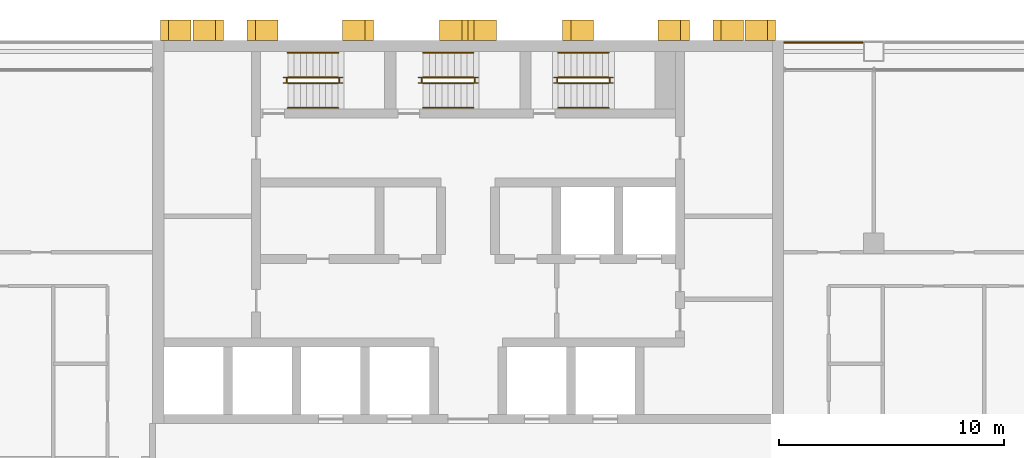
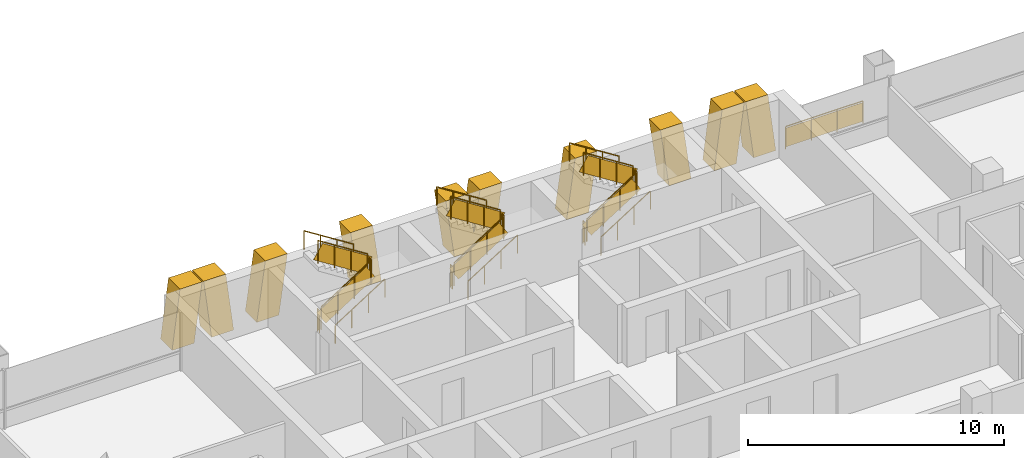
# One storey, part 17 of 18: 19 railings, 9 shading devices.
"""IFC4 building model written with IfcOpenShell, lengths in metres."""

from ifc_helpers import new_model, si_unit, direction, frame, origin, origin_2d, place, context, subcontext, project, spatial, polyline, rectangle, circle, outline, extrude, material, layer, layer_set, type_object, element, save


model = new_model("IFC4")

# Units and contexts
model_context = context("Model", 3, precision=1e-05, world=origin(), true_north=direction((0.0, 1.0)))
body_context = subcontext(model_context, "Body", "Model", "MODEL_VIEW")
ifc_project = project(units=[si_unit("LENGTHUNIT", "METRE"), si_unit("AREAUNIT", "SQUARE_METRE"), si_unit("VOLUMEUNIT", "CUBIC_METRE"), si_unit("PLANEANGLEUNIT", "RADIAN"), si_unit("MASSUNIT", "GRAM", prefix="KILO")], contexts=[model_context])

# Site, building, storey
site_placement = place(None, origin())
site = spatial("IfcSite", under=ifc_project, at=site_placement, CompositionType="ELEMENT")
building_placement = place(site_placement, origin())
building = spatial("IfcBuilding", under=site, at=building_placement, Name="Vidyagriha Tower", CompositionType="ELEMENT")
storey_placement = place(building_placement, frame((0.0, 0.0, 103.10009765625)))
storey = spatial("IfcBuildingStorey", under=building, at=storey_placement, Name="L27", CompositionType="ELEMENT", Elevation=103.10009765625)

# Shading devices
ifc_material_1 = material(Name="Precast concrete C40/50 with brick facing", Category="concrete")
ifc_layer_1 = layer(ifc_material_1, 1.0)
ifc_layer_set_1 = layer_set([ifc_layer_1], Name="Precast concrete C40/50 with brick facing")
shading_device_type_1 = type_object("IfcShadingDeviceType", Name="Brick-faced rear rib arm leaning 8 degrees", PredefinedType="USERDEFINED", material=ifc_layer_set_1)
shading_device_1_placement = place(storey_placement, frame((12.21435546875, 20.449951171875, 0.0), z_axis=(0.0, 0.0, 1.0), x_axis=(-1.0, 0.0, 0.0)))
element("IfcShadingDevice", 1, at=shading_device_1_placement, inside=storey, type_object=shading_device_type_1, Name="Rear rib arm L27 R08.1a", ObjectType="BLADE FIN", PredefinedType="USERDEFINED", context=body_context, shape_type="SweptSolid", body=[
    extrude(outline(polyline([(0.357177734375, 0.0), (1.357177734375, 0.0), (1.0, 2.7998046875), (0.0, 2.7998046875), (0.357177734375, 0.0)])), frame((0.0, 0.449951171875, 0.0), z_axis=(0.0, -1.0, 0.0), x_axis=(1.0, 0.0, 0.0)), (0.0, 0.0, 1.0), 0.89990234375),
])
shading_device_2_placement = place(storey_placement, frame((13.642822265625, 20.449951171875, 0.0), z_axis=(0.0, 0.0, 1.0), x_axis=(-1.0, 0.0, 0.0)))
element("IfcShadingDevice", 2, at=shading_device_2_placement, inside=storey, type_object=shading_device_type_1, Name="Rear rib arm L27 R08.1b", ObjectType="BLADE FIN", PredefinedType="USERDEFINED", context=body_context, shape_type="SweptSolid", body=[
    extrude(outline(polyline([(0.0, 0.0), (1.0, 0.0), (1.357177734375, 2.7998046875), (0.357177734375, 2.7998046875), (0.0, 0.0)])), frame((0.0, 0.449951171875, 0.0), z_axis=(0.0, -1.0, 0.0), x_axis=(1.0, 0.0, 0.0)), (0.0, 0.0, 1.0), 0.89990234375),
])
shading_device_3_placement = place(storey_placement, frame((5.5712890625, 20.449951171875, 0.0), z_axis=(0.0, 0.0, 1.0), x_axis=(-1.0, 0.0, 0.0)))
element("IfcShadingDevice", 3, at=shading_device_3_placement, inside=storey, type_object=shading_device_type_1, Name="Rear rib arm L27 R08.2a", ObjectType="BLADE FIN", PredefinedType="USERDEFINED", context=body_context, shape_type="SweptSolid", body=[
    extrude(outline(polyline([(0.3857421875, 0.0), (1.3857421875, 0.0), (1.0, 2.7998046875), (0.0, 2.7998046875), (0.3857421875, 0.0)])), frame((0.0, 0.449951171875, 0.0), z_axis=(0.0, -1.0, 0.0), x_axis=(1.0, 0.0, 0.0)), (0.0, 0.0, 1.0), 0.89990234375),
])
shading_device_4_placement = place(storey_placement, frame((9.814208984375, 20.449951171875, 0.0), z_axis=(0.0, 0.0, 1.0), x_axis=(-1.0, 0.0, 0.0)))
element("IfcShadingDevice", 4, at=shading_device_4_placement, inside=storey, type_object=shading_device_type_1, Name="Rear rib arm L27 R08.2b", ObjectType="BLADE FIN", PredefinedType="USERDEFINED", context=body_context, shape_type="SweptSolid", body=[
    extrude(outline(polyline([(0.0, 0.0), (1.0, 0.0), (1.3857421875, 2.7998046875), (0.3857421875, 2.7998046875), (0.0, 0.0)])), frame((0.0, 0.449951171875, 0.0), z_axis=(0.0, -1.0, 0.0), x_axis=(1.0, 0.0, 0.0)), (0.0, 0.0, 1.0), 0.89990234375),
])
shading_device_5_placement = place(storey_placement, frame((-8.4287109375, 20.449951171875, 0.0), z_axis=(0.0, 0.0, 1.0), x_axis=(-1.0, 0.0, 0.0)))
element("IfcShadingDevice", 5, at=shading_device_5_placement, inside=storey, type_object=shading_device_type_1, Name="Rear rib arm L27 R08.4a", ObjectType="BLADE FIN", PredefinedType="USERDEFINED", context=body_context, shape_type="SweptSolid", body=[
    extrude(outline(polyline([(0.3857421875, 0.0), (1.3857421875, 0.0), (1.0, 2.7998046875), (0.0, 2.7998046875), (0.3857421875, 0.0)])), frame((0.0, 0.449951171875, 0.0), z_axis=(0.0, -1.0, 0.0), x_axis=(1.0, 0.0, 0.0)), (0.0, 0.0, 1.0), 0.89990234375),
])
shading_device_6_placement = place(storey_placement, frame((-4.185791015625, 20.449951171875, 0.0), z_axis=(0.0, 0.0, 1.0), x_axis=(-1.0, 0.0, 0.0)))
element("IfcShadingDevice", 6, at=shading_device_6_placement, inside=storey, type_object=shading_device_type_1, Name="Rear rib arm L27 R08.4b", ObjectType="BLADE FIN", PredefinedType="USERDEFINED", context=body_context, shape_type="SweptSolid", body=[
    extrude(outline(polyline([(0.0, 0.0), (1.0, 0.0), (1.3857421875, 2.7998046875), (0.3857421875, 2.7998046875), (0.0, 0.0)])), frame((0.0, 0.449951171875, 0.0), z_axis=(0.0, -1.0, 0.0), x_axis=(1.0, 0.0, 0.0)), (0.0, 0.0, 1.0), 0.89990234375),
])
shading_device_7_placement = place(storey_placement, frame((-12.28564453125, 20.449951171875, 0.0), z_axis=(0.0, 0.0, 1.0), x_axis=(-1.0, 0.0, 0.0)))
element("IfcShadingDevice", 7, at=shading_device_7_placement, inside=storey, type_object=shading_device_type_1, Name="Rear rib arm L27 R08.5a", ObjectType="BLADE FIN", PredefinedType="USERDEFINED", context=body_context, shape_type="SweptSolid", body=[
    extrude(outline(polyline([(0.357177734375, 0.0), (1.357177734375, 0.0), (1.0, 2.7998046875), (0.0, 2.7998046875), (0.357177734375, 0.0)])), frame((0.0, 0.449951171875, 0.0), z_axis=(0.0, -1.0, 0.0), x_axis=(1.0, 0.0, 0.0)), (0.0, 0.0, 1.0), 0.89990234375),
])
shading_device_8_placement = place(storey_placement, frame((-10.857177734375, 20.449951171875, 0.0), z_axis=(0.0, 0.0, 1.0), x_axis=(-1.0, 0.0, 0.0)))
element("IfcShadingDevice", 8, at=shading_device_8_placement, inside=storey, type_object=shading_device_type_1, Name="Rear rib arm L27 R08.5b", ObjectType="BLADE FIN", PredefinedType="USERDEFINED", context=body_context, shape_type="SweptSolid", body=[
    extrude(outline(polyline([(0.0, 0.0), (1.0, 0.0), (1.357177734375, 2.7998046875), (0.357177734375, 2.7998046875), (0.0, 0.0)])), frame((0.0, 0.449951171875, 0.0), z_axis=(0.0, -1.0, 0.0), x_axis=(1.0, 0.0, 0.0)), (0.0, 0.0, 1.0), 0.89990234375),
])
ifc_material_2 = material(Name="Precast concrete C40/50 with brick facing", Category="concrete")
ifc_layer_2 = layer(ifc_material_2, 1.0)
ifc_layer_set_2 = layer_set([ifc_layer_2], Name="Precast concrete C40/50 with brick facing")
shading_device_type_2 = type_object("IfcShadingDeviceType", Name="Brick-faced rear rib forking 8 degrees", PredefinedType="USERDEFINED", material=ifc_layer_set_2)
shading_device_9_placement = place(storey_placement, frame((1.271484375, 20.449951171875, 0.0), z_axis=(0.0, 0.0, 1.0), x_axis=(-1.0, 0.0, 0.0)))
element("IfcShadingDevice", 9, at=shading_device_9_placement, inside=storey, type_object=shading_device_type_2, Name="Rear rib fork L27 R08.3a", ObjectType="BLADE FIN", PredefinedType="USERDEFINED", context=body_context, shape_type="SweptSolid", body=[
    extrude(outline(polyline([(0.3857421875, 0.0), (2.156982421875, 0.0), (2.542724609375, 2.7998046875), (1.542724609375, 2.7998046875), (1.271484375, 0.82958984375), (1.0, 2.7998046875), (0.0, 2.7998046875), (0.3857421875, 0.0)])), frame((0.0, 0.449951171875, 0.0), z_axis=(0.0, -1.0, 0.0), x_axis=(1.0, 0.0, 0.0)), (0.0, 0.0, 1.0), 0.89990234375),
])

# Railings
ifc_material_3 = material(Name="Steel ASTM A500 Grade C black painted", Category="steel")
railing_type_1 = type_object("IfcRailingType", Name="Gallery guard 1100", PredefinedType="GUARDRAIL", material=ifc_material_3)
railing_1_placement = place(storey_placement, frame((14.030029296875, 19.89990234375, 0.0)))
element("IfcRailing", 10, at=railing_1_placement, inside=storey, type_object=railing_type_1, Name="Gallery guard L27 9", PredefinedType="GUARDRAIL", context=body_context, shape_type="SweptSolid", body=[
    extrude(circle(Radius=0.02490234375, at=origin_2d()), frame((0.0, 0.0, 1.0751953125), z_axis=(1.0, 0.0, 0.0), x_axis=(0.0, 1.0, 0.0)), (0.0, 0.0, 1.0), 3.489990234375),
    extrude(circle(Radius=0.02001953125, at=origin_2d()), origin(), (0.0, 0.0, 1.0), 1.050048828125),
    extrude(circle(Radius=0.02001953125, at=origin_2d()), frame((1.163330078125, 0.0, 0.0)), (0.0, 0.0, 1.0), 1.050048828125),
    extrude(circle(Radius=0.02001953125, at=origin_2d()), frame((2.32666015625, 0.0, 0.0)), (0.0, 0.0, 1.0), 1.050048828125),
    extrude(circle(Radius=0.02001953125, at=origin_2d()), frame((3.489990234375, 0.0, 0.0)), (0.0, 0.0, 1.0), 1.050048828125),
    extrude(rectangle(XDim=0.010009765625, YDim=0.900146484375, at=origin_2d()), frame((0.0, 0.0, 0.550048828125), z_axis=(1.0, 0.0, 0.0), x_axis=(0.0, 1.0, 0.0)), (0.0, 0.0, 1.0), 3.489990234375),
])
ifc_material_4 = material(Name="Steel ASTM A500 Grade C", Category="steel")
railing_type_2 = type_object("IfcRailingType", Name="Stair guard 1100 mm, steel balustrade", PredefinedType="GUARDRAIL", material=ifc_material_4)
railing_2_placement = place(storey_placement, frame((-8.0, 18.10009765625, 0.177734375)))
element("IfcRailing", 11, at=railing_2_placement, inside=storey, type_object=railing_type_2, Name="L27 ST1 stair guard 1", PredefinedType="GUARDRAIL", context=body_context, shape_type="SweptSolid", body=[
    extrude(circle(Radius=0.02392578125, at=origin_2d()), frame((0.0, 0.0, 1.076171875), z_axis=(0.8442293374, 0.0, 0.53598211339), x_axis=(0.0, 1.0, 0.0)), (0.0, 0.0, 1.0), 2.6533203125),
    extrude(circle(Radius=0.02099609375, at=origin_2d()), origin(), (0.0, 0.0, 1.0), 1.052001953125),
    extrude(circle(Radius=0.02099609375, at=origin_2d()), frame((0.74658203125, 0.0, 0.47412109375)), (0.0, 0.0, 1.0), 1.052001953125),
    extrude(circle(Radius=0.02099609375, at=origin_2d()), frame((1.493408203125, 0.0, 0.947998046875)), (0.0, 0.0, 1.0), 1.052001953125),
    extrude(circle(Radius=0.02099609375, at=origin_2d()), frame((2.239990234375, 0.0, 1.422119140625)), (0.0, 0.0, 1.0), 1.052001953125),
    extrude(rectangle(XDim=0.010009765625, YDim=0.761474609375, at=origin_2d()), frame((0.0, 0.0, 0.551025390625), z_axis=(0.8442293374, 0.0, 0.53598211339), x_axis=(0.0, 1.0, 0.0)), (0.0, 0.0, 1.0), 2.6533203125),
])
railing_3_placement = place(storey_placement, frame((-5.7099609375, 18.14990234375, 1.599853515625)))
element("IfcRailing", 12, at=railing_3_placement, inside=storey, type_object=railing_type_2, Name="L27 ST1 stair guard 2", PredefinedType="GUARDRAIL", context=body_context, shape_type="SweptSolid", body=[
    extrude(circle(Radius=0.02392578125, at=origin_2d()), frame((0.0, 0.0, 1.076171875), z_axis=(0.0, 1.0, 0.0), x_axis=(-1.0, 0.0, 0.0)), (0.0, 0.0, 1.0), 0.150146484375),
    extrude(circle(Radius=0.02099609375, at=origin_2d()), origin(), (0.0, 0.0, 1.0), 1.052001953125),
    extrude(circle(Radius=0.02099609375, at=origin_2d()), frame((0.0, 0.150146484375, 0.0)), (0.0, 0.0, 1.0), 1.052001953125),
    extrude(rectangle(XDim=0.010009765625, YDim=0.902099609375, at=origin_2d()), frame((0.0, 0.0, 0.551025390625), z_axis=(0.0, 1.0, 0.0), x_axis=(-1.0, 0.0, 0.0)), (0.0, 0.0, 1.0), 0.150146484375),
])
railing_4_placement = place(storey_placement, frame((-5.760009765625, 18.35009765625, 1.777587890625)))
element("IfcRailing", 13, at=railing_4_placement, inside=storey, type_object=railing_type_2, Name="L27 ST1 stair guard 3", PredefinedType="GUARDRAIL", context=body_context, shape_type="SweptSolid", body=[
    extrude(circle(Radius=0.02392578125, at=origin_2d()), frame((0.0, 0.0, 1.076171875), z_axis=(-0.84418770128, 0.0, 0.536047689118), x_axis=(0.0, -1.0, 0.0)), (0.0, 0.0, 1.0), 2.6533203125),
    extrude(circle(Radius=0.02099609375, at=origin_2d()), origin(), (0.0, 0.0, 1.0), 1.052001953125),
    extrude(circle(Radius=0.02099609375, at=origin_2d()), frame((-0.74658203125, 0.0, 0.47412109375)), (0.0, 0.0, 1.0), 1.052001953125),
    extrude(circle(Radius=0.02099609375, at=origin_2d()), frame((-1.493408203125, 0.0, 0.9482421875)), (0.0, 0.0, 1.0), 1.052001953125),
    extrude(circle(Radius=0.02099609375, at=origin_2d()), frame((-2.239990234375, 0.0, 1.42236328125)), (0.0, 0.0, 1.0), 1.052001953125),
    extrude(rectangle(XDim=0.010009765625, YDim=0.761474609375, at=origin_2d()), frame((0.0, 0.0, 0.551025390625), z_axis=(-0.84418770128, 0.0, 0.536047689118), x_axis=(0.0, -1.0, 0.0)), (0.0, 0.0, 1.0), 2.6533203125),
])
railing_5_placement = place(storey_placement, frame((-8.050048828125, 18.14990234375, 0.0)))
element("IfcRailing", 14, at=railing_5_placement, inside=storey, type_object=railing_type_2, Name="L27 ST1 stair guard 4", PredefinedType="GUARDRAIL", context=body_context, shape_type="SweptSolid", body=[
    extrude(circle(Radius=0.02392578125, at=origin_2d()), frame((0.0, 0.0, 1.076171875), z_axis=(0.0, 1.0, 0.0), x_axis=(-1.0, 0.0, 0.0)), (0.0, 0.0, 1.0), 0.150146484375),
    extrude(circle(Radius=0.02099609375, at=origin_2d()), origin(), (0.0, 0.0, 1.0), 1.052001953125),
    extrude(circle(Radius=0.02099609375, at=origin_2d()), frame((0.0, 0.150146484375, 0.0)), (0.0, 0.0, 1.0), 1.052001953125),
    extrude(rectangle(XDim=0.010009765625, YDim=0.902099609375, at=origin_2d()), frame((0.0, 0.0, 0.551025390625), z_axis=(0.0, 1.0, 0.0), x_axis=(-1.0, 0.0, 0.0)), (0.0, 0.0, 1.0), 0.150146484375),
])
railing_6_placement = place(storey_placement, frame((-2.0, 18.10009765625, 0.177734375)))
element("IfcRailing", 15, at=railing_6_placement, inside=storey, type_object=railing_type_2, Name="L27 ST2 stair guard 1", PredefinedType="GUARDRAIL", context=body_context, shape_type="SweptSolid", body=[
    extrude(circle(Radius=0.02392578125, at=origin_2d()), frame((0.0, 0.0, 1.076171875), z_axis=(0.8442293374, 0.0, 0.53598211339), x_axis=(0.0, 1.0, 0.0)), (0.0, 0.0, 1.0), 2.6533203125),
    extrude(circle(Radius=0.02099609375, at=origin_2d()), origin(), (0.0, 0.0, 1.0), 1.052001953125),
    extrude(circle(Radius=0.02099609375, at=origin_2d()), frame((0.74658203125, 0.0, 0.47412109375)), (0.0, 0.0, 1.0), 1.052001953125),
    extrude(circle(Radius=0.02099609375, at=origin_2d()), frame((1.493408203125, 0.0, 0.947998046875)), (0.0, 0.0, 1.0), 1.052001953125),
    extrude(circle(Radius=0.02099609375, at=origin_2d()), frame((2.239990234375, 0.0, 1.422119140625)), (0.0, 0.0, 1.0), 1.052001953125),
    extrude(rectangle(XDim=0.010009765625, YDim=0.761474609375, at=origin_2d()), frame((0.0, 0.0, 0.551025390625), z_axis=(0.8442293374, 0.0, 0.53598211339), x_axis=(0.0, 1.0, 0.0)), (0.0, 0.0, 1.0), 2.6533203125),
])
railing_7_placement = place(storey_placement, frame((0.2900390625, 18.14990234375, 1.599853515625)))
element("IfcRailing", 16, at=railing_7_placement, inside=storey, type_object=railing_type_2, Name="L27 ST2 stair guard 2", PredefinedType="GUARDRAIL", context=body_context, shape_type="SweptSolid", body=[
    extrude(circle(Radius=0.02392578125, at=origin_2d()), frame((0.0, 0.0, 1.076171875), z_axis=(0.0, 1.0, 0.0), x_axis=(-1.0, 0.0, 0.0)), (0.0, 0.0, 1.0), 0.150146484375),
    extrude(circle(Radius=0.02099609375, at=origin_2d()), origin(), (0.0, 0.0, 1.0), 1.052001953125),
    extrude(circle(Radius=0.02099609375, at=origin_2d()), frame((0.0, 0.150146484375, 0.0)), (0.0, 0.0, 1.0), 1.052001953125),
    extrude(rectangle(XDim=0.010009765625, YDim=0.902099609375, at=origin_2d()), frame((0.0, 0.0, 0.551025390625), z_axis=(0.0, 1.0, 0.0), x_axis=(-1.0, 0.0, 0.0)), (0.0, 0.0, 1.0), 0.150146484375),
])
railing_8_placement = place(storey_placement, frame((0.239990234375, 18.35009765625, 1.777587890625)))
element("IfcRailing", 17, at=railing_8_placement, inside=storey, type_object=railing_type_2, Name="L27 ST2 stair guard 3", PredefinedType="GUARDRAIL", context=body_context, shape_type="SweptSolid", body=[
    extrude(circle(Radius=0.02392578125, at=origin_2d()), frame((0.0, 0.0, 1.076171875), z_axis=(-0.84418770128, 0.0, 0.536047689118), x_axis=(0.0, -1.0, 0.0)), (0.0, 0.0, 1.0), 2.6533203125),
    extrude(circle(Radius=0.02099609375, at=origin_2d()), origin(), (0.0, 0.0, 1.0), 1.052001953125),
    extrude(circle(Radius=0.02099609375, at=origin_2d()), frame((-0.74658203125, 0.0, 0.47412109375)), (0.0, 0.0, 1.0), 1.052001953125),
    extrude(circle(Radius=0.02099609375, at=origin_2d()), frame((-1.493408203125, 0.0, 0.9482421875)), (0.0, 0.0, 1.0), 1.052001953125),
    extrude(circle(Radius=0.02099609375, at=origin_2d()), frame((-2.239990234375, 0.0, 1.42236328125)), (0.0, 0.0, 1.0), 1.052001953125),
    extrude(rectangle(XDim=0.010009765625, YDim=0.761474609375, at=origin_2d()), frame((0.0, 0.0, 0.551025390625), z_axis=(-0.84418770128, 0.0, 0.536047689118), x_axis=(0.0, -1.0, 0.0)), (0.0, 0.0, 1.0), 2.6533203125),
])
railing_9_placement = place(storey_placement, frame((-2.050048828125, 18.14990234375, 0.0)))
element("IfcRailing", 18, at=railing_9_placement, inside=storey, type_object=railing_type_2, Name="L27 ST2 stair guard 4", PredefinedType="GUARDRAIL", context=body_context, shape_type="SweptSolid", body=[
    extrude(circle(Radius=0.02392578125, at=origin_2d()), frame((0.0, 0.0, 1.076171875), z_axis=(0.0, 1.0, 0.0), x_axis=(-1.0, 0.0, 0.0)), (0.0, 0.0, 1.0), 0.150146484375),
    extrude(circle(Radius=0.02099609375, at=origin_2d()), origin(), (0.0, 0.0, 1.0), 1.052001953125),
    extrude(circle(Radius=0.02099609375, at=origin_2d()), frame((0.0, 0.150146484375, 0.0)), (0.0, 0.0, 1.0), 1.052001953125),
    extrude(rectangle(XDim=0.010009765625, YDim=0.902099609375, at=origin_2d()), frame((0.0, 0.0, 0.551025390625), z_axis=(0.0, 1.0, 0.0), x_axis=(-1.0, 0.0, 0.0)), (0.0, 0.0, 1.0), 0.150146484375),
])
railing_10_placement = place(storey_placement, frame((4.0, 18.10009765625, 0.177734375)))
element("IfcRailing", 19, at=railing_10_placement, inside=storey, type_object=railing_type_2, Name="L27 ST3 stair guard 1", PredefinedType="GUARDRAIL", context=body_context, shape_type="SweptSolid", body=[
    extrude(circle(Radius=0.02392578125, at=origin_2d()), frame((0.0, 0.0, 1.076171875), z_axis=(0.8442293374, 0.0, 0.53598211339), x_axis=(0.0, 1.0, 0.0)), (0.0, 0.0, 1.0), 2.6533203125),
    extrude(circle(Radius=0.02099609375, at=origin_2d()), origin(), (0.0, 0.0, 1.0), 1.052001953125),
    extrude(circle(Radius=0.02099609375, at=origin_2d()), frame((0.74658203125, 0.0, 0.47412109375)), (0.0, 0.0, 1.0), 1.052001953125),
    extrude(circle(Radius=0.02099609375, at=origin_2d()), frame((1.493408203125, 0.0, 0.947998046875)), (0.0, 0.0, 1.0), 1.052001953125),
    extrude(circle(Radius=0.02099609375, at=origin_2d()), frame((2.239990234375, 0.0, 1.422119140625)), (0.0, 0.0, 1.0), 1.052001953125),
    extrude(rectangle(XDim=0.010009765625, YDim=0.761474609375, at=origin_2d()), frame((0.0, 0.0, 0.551025390625), z_axis=(0.8442293374, 0.0, 0.53598211339), x_axis=(0.0, 1.0, 0.0)), (0.0, 0.0, 1.0), 2.6533203125),
])
railing_11_placement = place(storey_placement, frame((6.2900390625, 18.14990234375, 1.599853515625)))
element("IfcRailing", 20, at=railing_11_placement, inside=storey, type_object=railing_type_2, Name="L27 ST3 stair guard 2", PredefinedType="GUARDRAIL", context=body_context, shape_type="SweptSolid", body=[
    extrude(circle(Radius=0.02392578125, at=origin_2d()), frame((0.0, 0.0, 1.076171875), z_axis=(0.0, 1.0, 0.0), x_axis=(-1.0, 0.0, 0.0)), (0.0, 0.0, 1.0), 0.150146484375),
    extrude(circle(Radius=0.02099609375, at=origin_2d()), origin(), (0.0, 0.0, 1.0), 1.052001953125),
    extrude(circle(Radius=0.02099609375, at=origin_2d()), frame((0.0, 0.150146484375, 0.0)), (0.0, 0.0, 1.0), 1.052001953125),
    extrude(rectangle(XDim=0.010009765625, YDim=0.902099609375, at=origin_2d()), frame((0.0, 0.0, 0.551025390625), z_axis=(0.0, 1.0, 0.0), x_axis=(-1.0, 0.0, 0.0)), (0.0, 0.0, 1.0), 0.150146484375),
])
railing_12_placement = place(storey_placement, frame((6.239990234375, 18.35009765625, 1.777587890625)))
element("IfcRailing", 21, at=railing_12_placement, inside=storey, type_object=railing_type_2, Name="L27 ST3 stair guard 3", PredefinedType="GUARDRAIL", context=body_context, shape_type="SweptSolid", body=[
    extrude(circle(Radius=0.02392578125, at=origin_2d()), frame((0.0, 0.0, 1.076171875), z_axis=(-0.84418770128, 0.0, 0.536047689118), x_axis=(0.0, -1.0, 0.0)), (0.0, 0.0, 1.0), 2.6533203125),
    extrude(circle(Radius=0.02099609375, at=origin_2d()), origin(), (0.0, 0.0, 1.0), 1.052001953125),
    extrude(circle(Radius=0.02099609375, at=origin_2d()), frame((-0.74658203125, 0.0, 0.47412109375)), (0.0, 0.0, 1.0), 1.052001953125),
    extrude(circle(Radius=0.02099609375, at=origin_2d()), frame((-1.493408203125, 0.0, 0.9482421875)), (0.0, 0.0, 1.0), 1.052001953125),
    extrude(circle(Radius=0.02099609375, at=origin_2d()), frame((-2.239990234375, 0.0, 1.42236328125)), (0.0, 0.0, 1.0), 1.052001953125),
    extrude(rectangle(XDim=0.010009765625, YDim=0.761474609375, at=origin_2d()), frame((0.0, 0.0, 0.551025390625), z_axis=(-0.84418770128, 0.0, 0.536047689118), x_axis=(0.0, -1.0, 0.0)), (0.0, 0.0, 1.0), 2.6533203125),
])
railing_13_placement = place(storey_placement, frame((3.949951171875, 18.14990234375, 0.0)))
element("IfcRailing", 22, at=railing_13_placement, inside=storey, type_object=railing_type_2, Name="L27 ST3 stair guard 4", PredefinedType="GUARDRAIL", context=body_context, shape_type="SweptSolid", body=[
    extrude(circle(Radius=0.02392578125, at=origin_2d()), frame((0.0, 0.0, 1.076171875), z_axis=(0.0, 1.0, 0.0), x_axis=(-1.0, 0.0, 0.0)), (0.0, 0.0, 1.0), 0.150146484375),
    extrude(circle(Radius=0.02099609375, at=origin_2d()), origin(), (0.0, 0.0, 1.0), 1.052001953125),
    extrude(circle(Radius=0.02099609375, at=origin_2d()), frame((0.0, 0.150146484375, 0.0)), (0.0, 0.0, 1.0), 1.052001953125),
    extrude(rectangle(XDim=0.010009765625, YDim=0.902099609375, at=origin_2d()), frame((0.0, 0.0, 0.551025390625), z_axis=(0.0, 1.0, 0.0), x_axis=(-1.0, 0.0, 0.0)), (0.0, 0.0, 1.0), 0.150146484375),
])
ifc_material_5 = material(Name="Steel ASTM A500 Grade C", Category="steel")
railing_type_3 = type_object("IfcRailingType", Name="Stair handrail 900 mm, steel", PredefinedType="HANDRAIL", material=ifc_material_5)
railing_14_placement = place(storey_placement, frame((-8.0, 17.0, 0.177734375)))
element("IfcRailing", 23, at=railing_14_placement, inside=storey, type_object=railing_type_3, Name="L27 ST1 stair handrail 1", PredefinedType="HANDRAIL", context=body_context, shape_type="SweptSolid", body=[
    extrude(circle(Radius=0.02392578125, at=origin_2d()), frame((0.0, 0.0, 0.8759765625), z_axis=(0.8442293374, 0.0, 0.53598211339), x_axis=(0.0, 1.0, 0.0)), (0.0, 0.0, 1.0), 2.6533203125),
    extrude(circle(Radius=0.02099609375, at=origin_2d()), origin(), (0.0, 0.0, 1.0), 0.851806640625),
    extrude(circle(Radius=0.02099609375, at=origin_2d()), frame((0.74658203125, 0.0, 0.47412109375)), (0.0, 0.0, 1.0), 0.851806640625),
    extrude(circle(Radius=0.02099609375, at=origin_2d()), frame((1.493408203125, 0.0, 0.947998046875)), (0.0, 0.0, 1.0), 0.851806640625),
    extrude(circle(Radius=0.02099609375, at=origin_2d()), frame((2.239990234375, 0.0, 1.422119140625)), (0.0, 0.0, 1.0), 0.851806640625),
])
railing_15_placement = place(storey_placement, frame((-5.760009765625, 19.449951171875, 1.777587890625)))
element("IfcRailing", 24, at=railing_15_placement, inside=storey, type_object=railing_type_3, Name="L27 ST1 stair handrail 2", PredefinedType="HANDRAIL", context=body_context, shape_type="SweptSolid", body=[
    extrude(circle(Radius=0.02392578125, at=origin_2d()), frame((0.0, 0.0, 0.8759765625), z_axis=(-0.84418770128, 0.0, 0.536047689118), x_axis=(0.0, -1.0, 0.0)), (0.0, 0.0, 1.0), 2.6533203125),
    extrude(circle(Radius=0.02099609375, at=origin_2d()), origin(), (0.0, 0.0, 1.0), 0.851806640625),
    extrude(circle(Radius=0.02099609375, at=origin_2d()), frame((-0.74658203125, 0.0, 0.47412109375)), (0.0, 0.0, 1.0), 0.851806640625),
    extrude(circle(Radius=0.02099609375, at=origin_2d()), frame((-1.493408203125, 0.0, 0.9482421875)), (0.0, 0.0, 1.0), 0.851806640625),
    extrude(circle(Radius=0.02099609375, at=origin_2d()), frame((-2.239990234375, 0.0, 1.42236328125)), (0.0, 0.0, 1.0), 0.851806640625),
])
railing_16_placement = place(storey_placement, frame((-2.0, 17.0, 0.177734375)))
element("IfcRailing", 25, at=railing_16_placement, inside=storey, type_object=railing_type_3, Name="L27 ST2 stair handrail 1", PredefinedType="HANDRAIL", context=body_context, shape_type="SweptSolid", body=[
    extrude(circle(Radius=0.02392578125, at=origin_2d()), frame((0.0, 0.0, 0.8759765625), z_axis=(0.8442293374, 0.0, 0.53598211339), x_axis=(0.0, 1.0, 0.0)), (0.0, 0.0, 1.0), 2.6533203125),
    extrude(circle(Radius=0.02099609375, at=origin_2d()), origin(), (0.0, 0.0, 1.0), 0.851806640625),
    extrude(circle(Radius=0.02099609375, at=origin_2d()), frame((0.74658203125, 0.0, 0.47412109375)), (0.0, 0.0, 1.0), 0.851806640625),
    extrude(circle(Radius=0.02099609375, at=origin_2d()), frame((1.493408203125, 0.0, 0.947998046875)), (0.0, 0.0, 1.0), 0.851806640625),
    extrude(circle(Radius=0.02099609375, at=origin_2d()), frame((2.239990234375, 0.0, 1.422119140625)), (0.0, 0.0, 1.0), 0.851806640625),
])
railing_17_placement = place(storey_placement, frame((0.239990234375, 19.449951171875, 1.777587890625)))
element("IfcRailing", 26, at=railing_17_placement, inside=storey, type_object=railing_type_3, Name="L27 ST2 stair handrail 2", PredefinedType="HANDRAIL", context=body_context, shape_type="SweptSolid", body=[
    extrude(circle(Radius=0.02392578125, at=origin_2d()), frame((0.0, 0.0, 0.8759765625), z_axis=(-0.84418770128, 0.0, 0.536047689118), x_axis=(0.0, -1.0, 0.0)), (0.0, 0.0, 1.0), 2.6533203125),
    extrude(circle(Radius=0.02099609375, at=origin_2d()), origin(), (0.0, 0.0, 1.0), 0.851806640625),
    extrude(circle(Radius=0.02099609375, at=origin_2d()), frame((-0.74658203125, 0.0, 0.47412109375)), (0.0, 0.0, 1.0), 0.851806640625),
    extrude(circle(Radius=0.02099609375, at=origin_2d()), frame((-1.493408203125, 0.0, 0.9482421875)), (0.0, 0.0, 1.0), 0.851806640625),
    extrude(circle(Radius=0.02099609375, at=origin_2d()), frame((-2.239990234375, 0.0, 1.42236328125)), (0.0, 0.0, 1.0), 0.851806640625),
])
railing_18_placement = place(storey_placement, frame((4.0, 17.0, 0.177734375)))
element("IfcRailing", 27, at=railing_18_placement, inside=storey, type_object=railing_type_3, Name="L27 ST3 stair handrail 1", PredefinedType="HANDRAIL", context=body_context, shape_type="SweptSolid", body=[
    extrude(circle(Radius=0.02392578125, at=origin_2d()), frame((0.0, 0.0, 0.8759765625), z_axis=(0.8442293374, 0.0, 0.53598211339), x_axis=(0.0, 1.0, 0.0)), (0.0, 0.0, 1.0), 2.6533203125),
    extrude(circle(Radius=0.02099609375, at=origin_2d()), origin(), (0.0, 0.0, 1.0), 0.851806640625),
    extrude(circle(Radius=0.02099609375, at=origin_2d()), frame((0.74658203125, 0.0, 0.47412109375)), (0.0, 0.0, 1.0), 0.851806640625),
    extrude(circle(Radius=0.02099609375, at=origin_2d()), frame((1.493408203125, 0.0, 0.947998046875)), (0.0, 0.0, 1.0), 0.851806640625),
    extrude(circle(Radius=0.02099609375, at=origin_2d()), frame((2.239990234375, 0.0, 1.422119140625)), (0.0, 0.0, 1.0), 0.851806640625),
])
railing_19_placement = place(storey_placement, frame((6.239990234375, 19.449951171875, 1.777587890625)))
element("IfcRailing", 28, at=railing_19_placement, inside=storey, type_object=railing_type_3, Name="L27 ST3 stair handrail 2", PredefinedType="HANDRAIL", context=body_context, shape_type="SweptSolid", body=[
    extrude(circle(Radius=0.02392578125, at=origin_2d()), frame((0.0, 0.0, 0.8759765625), z_axis=(-0.84418770128, 0.0, 0.536047689118), x_axis=(0.0, -1.0, 0.0)), (0.0, 0.0, 1.0), 2.6533203125),
    extrude(circle(Radius=0.02099609375, at=origin_2d()), origin(), (0.0, 0.0, 1.0), 0.851806640625),
    extrude(circle(Radius=0.02099609375, at=origin_2d()), frame((-0.74658203125, 0.0, 0.47412109375)), (0.0, 0.0, 1.0), 0.851806640625),
    extrude(circle(Radius=0.02099609375, at=origin_2d()), frame((-1.493408203125, 0.0, 0.9482421875)), (0.0, 0.0, 1.0), 0.851806640625),
    extrude(circle(Radius=0.02099609375, at=origin_2d()), frame((-2.239990234375, 0.0, 1.42236328125)), (0.0, 0.0, 1.0), 0.851806640625),
])

save(model, "model.ifc")
